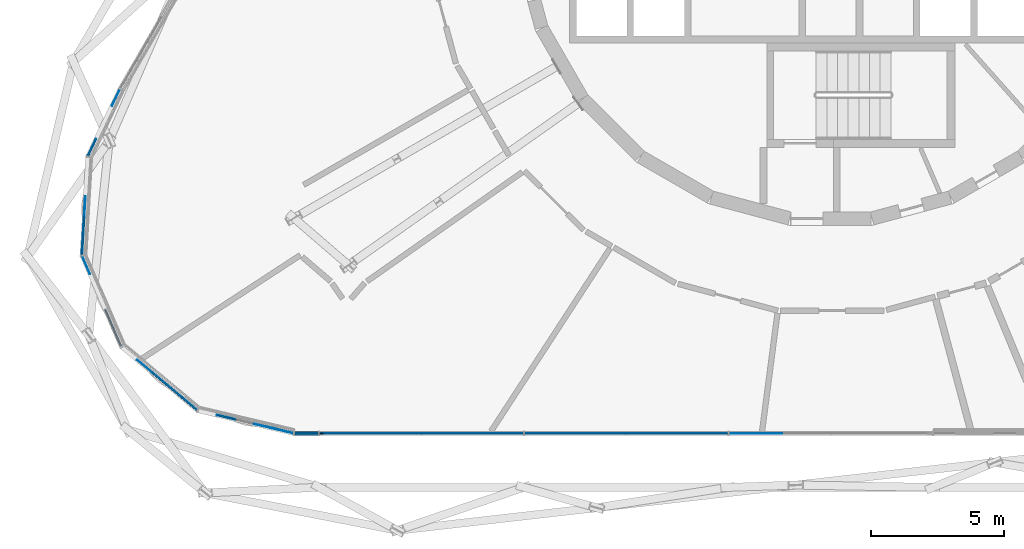
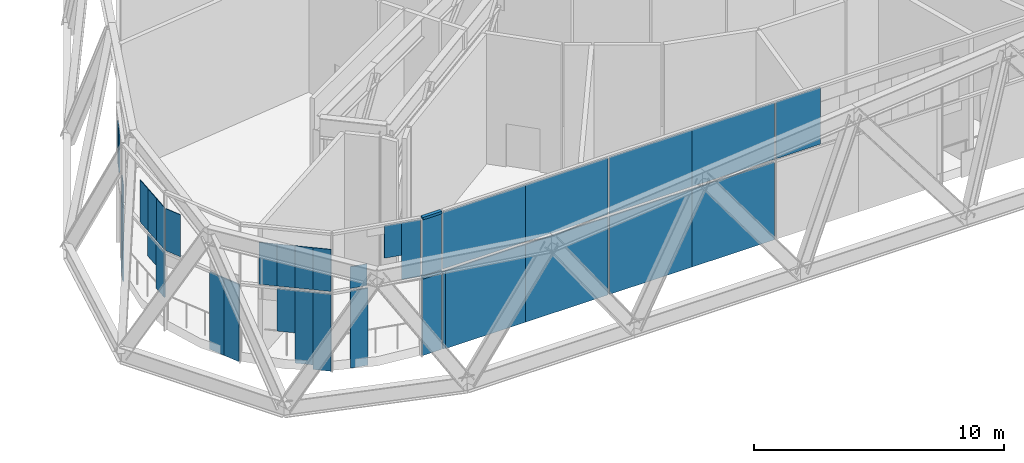
# One storey, part 11 of 29: 34 plates, 2 members, 2 elements without a shape of their own.
"""IFC4 building model written with IfcOpenShell, lengths in metres."""

from ifc_helpers import new_model, si_unit, direction, frame, origin, origin_2d, place, context, subcontext, project, spatial, rectangle, extrude, material, layer, layer_set, material_profile, profile_set, type_object, element, aggregate, save


model = new_model("IFC4")

# Units and contexts
model_context = context("Model", 3, precision=1e-05, world=origin(), true_north=direction((0.0, 1.0)))
body_context = subcontext(model_context, "Body", "Model", "MODEL_VIEW")
ifc_project = project(units=[si_unit("LENGTHUNIT", "METRE"), si_unit("AREAUNIT", "SQUARE_METRE"), si_unit("VOLUMEUNIT", "CUBIC_METRE"), si_unit("PLANEANGLEUNIT", "RADIAN"), si_unit("MASSUNIT", "GRAM", prefix="KILO")], contexts=[model_context])

# Site, building, storey
site_placement = place(None, origin())
site = spatial("IfcSite", under=ifc_project, at=site_placement, CompositionType="ELEMENT")
building_placement = place(site_placement, origin())
building = spatial("IfcBuilding", under=site, at=building_placement, Name="Spindle Arch Residences", CompositionType="ELEMENT")
storey_placement = place(building_placement, frame((0.0, 0.0, 69.89990234375)))
storey = spatial("IfcBuildingStorey", under=building, at=storey_placement, Name="L16", CompositionType="ELEMENT", Elevation=69.89990234375)

# Curtain wall, members, plates
ifc_material_1 = material(Name="Aluminium bronze unitised frame with tinted glass", Category="aluminium")
ifc_layer_1 = layer(ifc_material_1, 0.159912109375)
ifc_layer_set_1 = layer_set([ifc_layer_1], Name="CW-E double-height winter garden wall")
curtain_wall_type = type_object("IfcCurtainWallType", Name="CW-E double-height winter garden wall", PredefinedType="NOTDEFINED", material=ifc_layer_set_1)
curtain_wall_1_placement = place(storey_placement, origin())
curtain_wall_1 = element("IfcCurtainWall", 1, at=curtain_wall_1_placement, inside=storey, type_object=curtain_wall_type, Name="CW-E L16 run 5", PredefinedType="NOTDEFINED")
ifc_material_2 = material(Name="Aluminium bronze anodised transom", Category="aluminium")
ifc_material_profile = material_profile(ifc_material_2, rectangle(XDim=0.159912109375, YDim=0.1201171875, at=origin_2d()), Name="TR 120x160")
ifc_profile_set = profile_set([ifc_material_profile], Name="Aluminium bronze anodised transom")
member_type = type_object("IfcMemberType", Name="Bronze transom 120x160", PredefinedType="USERDEFINED", material=ifc_profile_set)
member_1_placement = place(storey_placement, frame((-20.113525390625, -19.7099609375, 6.2900390625), z_axis=(1.0, 0.0, 0.0), x_axis=(0.0, 1.0, 0.0)))
member_1 = element("IfcMember", 2, at=member_1_placement, type_object=member_type, Name="CW-E transom 05", ObjectType="TRANSOM", PredefinedType="USERDEFINED", context=body_context, shape_type="SweptSolid", body=[
    extrude(rectangle(XDim=0.159912109375, YDim=0.1201171875, at=origin_2d()), origin(), (0.0, 0.0, 1.0), 0.88330078125),
])
member_2_placement = place(storey_placement, frame((-20.113525390625, -19.7099609375, 3.400146484375), z_axis=(1.0, 0.0, 0.0), x_axis=(0.0, 1.0, 0.0)))
member_2 = element("IfcMember", 3, at=member_2_placement, type_object=member_type, Name="CW-E transom 05m", ObjectType="TRANSOM", PredefinedType="USERDEFINED", context=body_context, shape_type="SweptSolid", body=[
    extrude(rectangle(XDim=0.159912109375, YDim=0.1201171875, at=origin_2d()), origin(), (0.0, 0.0, 1.0), 0.88330078125),
])
ifc_material_3 = material(Name="Tinted laminated glass 28 mm", Category="glass")
ifc_layer_2 = layer(ifc_material_3, 0.028076171875)
ifc_layer_set_2 = layer_set([ifc_layer_2], Name="Tinted glass panel 28 mm")
plate_type_1 = type_object("IfcPlateType", Name="Tinted glass panel 28 mm", PredefinedType="CURTAIN_PANEL", material=ifc_layer_set_2)
plate_1_placement = place(storey_placement, frame((-26.830810546875, -7.110595703125, 3.460205078125), z_axis=(0.0, 0.0, 1.0), x_axis=(-0.431502189519, -0.902111889092, 0.0)))
plate_1 = element("IfcPlate", 4, at=plate_1_placement, type_object=plate_type_1, Name="CW-E panel 00b.1", PredefinedType="CURTAIN_PANEL", context=body_context, shape_type="SweptSolid", body=[
    extrude(rectangle(XDim=0.688720703125, YDim=0.028076171875, at=origin_2d()), origin(), (0.0, 0.0, 1.0), 2.0458984375),
])
plate_2_placement = place(storey_placement, frame((-27.72265625, -8.974853515625, 3.460205078125), z_axis=(0.0, 0.0, 1.0), x_axis=(-0.431502189519, -0.902111889092, 0.0)))
plate_2 = element("IfcPlate", 5, at=plate_2_placement, type_object=plate_type_1, Name="CW-E panel 00b.2", PredefinedType="CURTAIN_PANEL", context=body_context, shape_type="SweptSolid", body=[
    extrude(rectangle(XDim=0.688720703125, YDim=0.028076171875, at=origin_2d()), origin(), (0.0, 0.0, 1.0), 0.8251953125),
])
plate_3_placement = place(storey_placement, frame((-27.992431640625, -11.1728515625, 3.460205078125), z_axis=(0.0, 0.0, 1.0), x_axis=(-0.058144829968, -0.99830815821, 0.0)))
plate_3 = element("IfcPlate", 6, at=plate_3_placement, type_object=plate_type_1, Name="CW-E panel 01b.1", PredefinedType="CURTAIN_PANEL", context=body_context, shape_type="SweptSolid", body=[
    extrude(rectangle(XDim=0.7333984375, YDim=0.028076171875, at=origin_2d()), origin(), (0.0, 0.0, 1.0), 2.0458984375),
])
plate_4_placement = place(storey_placement, frame((-28.03515625, -11.90478515625, 3.460205078125), z_axis=(0.0, 0.0, 1.0), x_axis=(-0.058144829968, -0.99830815821, 0.0)))
plate_4 = element("IfcPlate", 7, at=plate_4_placement, type_object=plate_type_1, Name="CW-E panel 01b.2", PredefinedType="CURTAIN_PANEL", context=body_context, shape_type="SweptSolid", body=[
    extrude(rectangle(XDim=0.7333984375, YDim=0.028076171875, at=origin_2d()), origin(), (0.0, 0.0, 1.0), 2.0458984375),
])
plate_5_placement = place(storey_placement, frame((-28.077880859375, -12.636962890625, 3.460205078125), z_axis=(0.0, 0.0, 1.0), x_axis=(-0.058144829968, -0.99830815821, 0.0)))
plate_5 = element("IfcPlate", 8, at=plate_5_placement, type_object=plate_type_1, Name="CW-E panel 01b.3", PredefinedType="CURTAIN_PANEL", context=body_context, shape_type="SweptSolid", body=[
    extrude(rectangle(XDim=0.7333984375, YDim=0.028076171875, at=origin_2d()), origin(), (0.0, 0.0, 1.0), 2.0458984375),
])
plate_6_placement = place(storey_placement, frame((-27.943603515625, -13.397216796875, 3.460205078125), z_axis=(0.0, 0.0, 1.0), x_axis=(0.396079766691, -0.918216106599, 0.0)))
plate_6 = element("IfcPlate", 9, at=plate_6_placement, type_object=plate_type_1, Name="CW-E panel 02b.1", PredefinedType="CURTAIN_PANEL", context=body_context, shape_type="SweptSolid", body=[
    extrude(rectangle(XDim=0.7333984375, YDim=0.028076171875, at=origin_2d()), origin(), (0.0, 0.0, 1.0), 2.0458984375),
])
plate_7_placement = place(storey_placement, frame((-25.759033203125, -17.181396484375, 3.460205078125), z_axis=(0.0, 0.0, 1.0), x_axis=(0.766044445239, -0.64278760716, 0.0)))
plate_7 = element("IfcPlate", 10, at=plate_7_placement, type_object=plate_type_1, Name="CW-E panel 03b.1", PredefinedType="CURTAIN_PANEL", context=body_context, shape_type="SweptSolid", body=[
    extrude(rectangle(XDim=0.7333984375, YDim=0.028076171875, at=origin_2d()), origin(), (0.0, 0.0, 1.0), 2.0458984375),
])
plate_8_placement = place(storey_placement, frame((-25.197265625, -17.652587890625, 3.460205078125), z_axis=(0.0, 0.0, 1.0), x_axis=(0.766044445239, -0.64278760716, 0.0)))
plate_8 = element("IfcPlate", 11, at=plate_8_placement, type_object=plate_type_1, Name="CW-E panel 03b.2", PredefinedType="CURTAIN_PANEL", context=body_context, shape_type="SweptSolid", body=[
    extrude(rectangle(XDim=0.7333984375, YDim=0.028076171875, at=origin_2d()), origin(), (0.0, 0.0, 1.0), 2.0458984375),
])
plate_9_placement = place(storey_placement, frame((-24.635498046875, -18.1240234375, 3.460205078125), z_axis=(0.0, 0.0, 1.0), x_axis=(0.766044445239, -0.64278760716, 0.0)))
plate_9 = element("IfcPlate", 12, at=plate_9_placement, type_object=plate_type_1, Name="CW-E panel 03b.3", PredefinedType="CURTAIN_PANEL", context=body_context, shape_type="SweptSolid", body=[
    extrude(rectangle(XDim=0.7333984375, YDim=0.028076171875, at=origin_2d()), origin(), (0.0, 0.0, 1.0), 2.0458984375),
])
plate_10_placement = place(storey_placement, frame((-24.07373046875, -18.595458984375, 3.460205078125), z_axis=(0.0, 0.0, 1.0), x_axis=(0.766044445239, -0.64278760716, 0.0)))
plate_10 = element("IfcPlate", 13, at=plate_10_placement, type_object=plate_type_1, Name="CW-E panel 03b.4", PredefinedType="CURTAIN_PANEL", context=body_context, shape_type="SweptSolid", body=[
    extrude(rectangle(XDim=0.7333984375, YDim=0.028076171875, at=origin_2d()), origin(), (0.0, 0.0, 1.0), 2.0458984375),
])
plate_11_placement = place(storey_placement, frame((-22.694580078125, -19.105224609375, 3.460205078125), z_axis=(0.0, 0.0, 1.0), x_axis=(0.973044871028, -0.230615868852, 0.0)))
plate_11 = element("IfcPlate", 14, at=plate_11_placement, type_object=plate_type_1, Name="CW-E panel 04b.1", PredefinedType="CURTAIN_PANEL", context=body_context, shape_type="SweptSolid", body=[
    extrude(rectangle(XDim=0.716796875, YDim=0.028076171875, at=origin_2d()), origin(), (0.0, 0.0, 1.0), 1.05615234375),
])
plate_12_placement = place(storey_placement, frame((-21.2998046875, -19.435791015625, 4.645263671875), z_axis=(0.0, 0.0, 1.0), x_axis=(0.973044871028, -0.230615868852, 0.0)))
plate_12 = element("IfcPlate", 15, at=plate_12_placement, type_object=plate_type_1, Name="CW-E panel 04b.3", PredefinedType="CURTAIN_PANEL", context=body_context, shape_type="SweptSolid", body=[
    extrude(rectangle(XDim=0.716796875, YDim=0.028076171875, at=origin_2d()), origin(), (0.0, 0.0, 1.0), 1.5849609375),
])
plate_13_placement = place(storey_placement, frame((-20.56201171875, -19.61083984375, 3.460205078125), z_axis=(0.0, 0.0, 1.0), x_axis=(0.973044871028, -0.230615868852, 0.0)))
plate_13 = element("IfcPlate", 16, at=plate_13_placement, type_object=plate_type_1, Name="CW-E panel 04b.4", PredefinedType="CURTAIN_PANEL", context=body_context, shape_type="SweptSolid", body=[
    extrude(rectangle(XDim=0.7998046875, YDim=0.028076171875, at=origin_2d()), origin(), (0.0, 0.0, 1.0), 2.77001953125),
])
plate_14_placement = place(storey_placement, frame((-19.671875, -19.7099609375, 3.460205078125), z_axis=(0.0, 0.0, 1.0), x_axis=(1.0, 0.0, 0.0)))
plate_14 = element("IfcPlate", 17, at=plate_14_placement, type_object=plate_type_1, Name="CW-E unit 05b", PredefinedType="CURTAIN_PANEL", context=body_context, shape_type="SweptSolid", body=[
    extrude(rectangle(XDim=0.88330078125, YDim=0.028076171875, at=origin_2d()), origin(), (0.0, 0.0, 1.0), 2.77001953125),
])

# Curtain wall, plates
curtain_wall_2_placement = place(storey_placement, origin())
curtain_wall_2 = element("IfcCurtainWall", 18, at=curtain_wall_2_placement, inside=storey, type_object=curtain_wall_type, Name="CW-E L16 run 6", PredefinedType="NOTDEFINED")
plate_15_placement = place(storey_placement, frame((-17.26513671875, -19.7099609375, 3.460205078125), z_axis=(0.0, 0.0, 1.0), x_axis=(1.0, 0.0, 0.0)))
plate_15 = element("IfcPlate", 19, at=plate_15_placement, type_object=plate_type_1, Name="CW-E unit 21Ab", PredefinedType="CURTAIN_PANEL", context=body_context, shape_type="SweptSolid", body=[
    extrude(rectangle(XDim=3.81005859375, YDim=0.028076171875, at=origin_2d()), origin(), (0.0, 0.0, 1.0), 2.77001953125),
])
plate_16_placement = place(storey_placement, frame((-13.455078125, -19.7099609375, 3.460205078125), z_axis=(0.0, 0.0, 1.0), x_axis=(1.0, 0.0, 0.0)))
plate_16 = element("IfcPlate", 20, at=plate_16_placement, type_object=plate_type_1, Name="CW-E unit 21Bb", PredefinedType="CURTAIN_PANEL", context=body_context, shape_type="SweptSolid", body=[
    extrude(rectangle(XDim=3.81005859375, YDim=0.028076171875, at=origin_2d()), origin(), (0.0, 0.0, 1.0), 2.77001953125),
])
plate_17_placement = place(storey_placement, frame((-9.585205078125, -19.7099609375, 3.460205078125), z_axis=(0.0, 0.0, 1.0), x_axis=(1.0, 0.0, 0.0)))
plate_17 = element("IfcPlate", 21, at=plate_17_placement, type_object=plate_type_1, Name="CW-E unit 22Ab", PredefinedType="CURTAIN_PANEL", context=body_context, shape_type="SweptSolid", body=[
    extrude(rectangle(XDim=3.81005859375, YDim=0.028076171875, at=origin_2d()), origin(), (0.0, 0.0, 1.0), 2.77001953125),
])
plate_18_placement = place(storey_placement, frame((-5.775146484375, -19.7099609375, 3.460205078125), z_axis=(0.0, 0.0, 1.0), x_axis=(1.0, 0.0, 0.0)))
plate_18 = element("IfcPlate", 22, at=plate_18_placement, type_object=plate_type_1, Name="CW-E unit 22Bb", PredefinedType="CURTAIN_PANEL", context=body_context, shape_type="SweptSolid", body=[
    extrude(rectangle(XDim=3.81005859375, YDim=0.028076171875, at=origin_2d()), origin(), (0.0, 0.0, 1.0), 2.77001953125),
])
plate_19_placement = place(storey_placement, frame((-2.7822265625, -19.7099609375, 3.460205078125), z_axis=(0.0, 0.0, 1.0), x_axis=(1.0, 0.0, 0.0)))
plate_19 = element("IfcPlate", 23, at=plate_19_placement, type_object=plate_type_1, Name="CW-E panel 23Ab.1", PredefinedType="CURTAIN_PANEL", context=body_context, shape_type="SweptSolid", body=[
    extrude(rectangle(XDim=2.055419921875, YDim=0.028076171875, at=origin_2d()), origin(), (0.0, 0.0, 1.0), 2.77001953125),
])

# Plate
ifc_material_4 = material(Name="Tinted double glazing over aluminium faced non-combustible spandrel zone (K0)", Category="aluminium")
ifc_layer_3 = layer(ifc_material_4, 0.06005859375)
ifc_layer_set_3 = layer_set([ifc_layer_3], Name="Unitised glass panel with E 60 spandrel zone")
plate_type_2 = type_object("IfcPlateType", Name="Unitised glass panel with E 60 spandrel zone", PredefinedType="CURTAIN_PANEL", material=ifc_layer_set_3)
plate_20_placement = place(storey_placement, frame((-27.72265625, -8.974853515625, -0.419921875), z_axis=(0.0, 0.0, 1.0), x_axis=(-0.431502189519, -0.902111889092, 0.0)))
plate_20 = element("IfcPlate", 24, at=plate_20_placement, type_object=plate_type_2, Name="CW-E panel 00a.2", PredefinedType="CURTAIN_PANEL", context=body_context, shape_type="SweptSolid", body=[
    extrude(rectangle(XDim=0.688720703125, YDim=0.06005859375, at=origin_2d()), origin(), (0.0, 0.0, 1.0), 3.760009765625),
])

plate_21_placement = place(storey_placement, frame((-28.03515625, -11.90478515625, 2.24658203125), z_axis=(0.0, 0.0, 1.0), x_axis=(-0.058144829968, -0.99830815821, 0.0)))
plate_21 = element("IfcPlate", 25, at=plate_21_placement, type_object=plate_type_2, Name="CW-E panel 01a.1", PredefinedType="CURTAIN_PANEL", context=body_context, shape_type="SweptSolid", body=[
    extrude(rectangle(XDim=0.7333984375, YDim=0.06005859375, at=origin_2d()), origin(), (0.0, 0.0, 1.0), 1.093505859375),
])

plate_22_placement = place(storey_placement, frame((-28.077880859375, -12.636962890625, 1.143798828125), z_axis=(0.0, 0.0, 1.0), x_axis=(-0.058144829968, -0.99830815821, 0.0)))
plate_22 = element("IfcPlate", 26, at=plate_22_placement, type_object=plate_type_2, Name="CW-E panel 01a.2", PredefinedType="CURTAIN_PANEL", context=body_context, shape_type="SweptSolid", body=[
    extrude(rectangle(XDim=0.7333984375, YDim=0.06005859375, at=origin_2d()), origin(), (0.0, 0.0, 1.0), 2.1962890625),
])

plate_23_placement = place(storey_placement, frame((-27.072265625, -15.417236328125, -0.419921875), z_axis=(0.0, 0.0, 1.0), x_axis=(0.396079766691, -0.918216106599, 0.0)))
plate_23 = element("IfcPlate", 27, at=plate_23_placement, type_object=plate_type_2, Name="CW-E panel 02a.2", PredefinedType="CURTAIN_PANEL", context=body_context, shape_type="SweptSolid", body=[
    extrude(rectangle(XDim=0.7333984375, YDim=0.06005859375, at=origin_2d()), origin(), (0.0, 0.0, 1.0), 3.760009765625),
])

plate_24_placement = place(storey_placement, frame((-26.781982421875, -16.0908203125, -0.419921875), z_axis=(0.0, 0.0, 1.0), x_axis=(0.396079766691, -0.918216106599, 0.0)))
plate_24 = element("IfcPlate", 28, at=plate_24_placement, type_object=plate_type_2, Name="CW-E panel 02a.3", PredefinedType="CURTAIN_PANEL", context=body_context, shape_type="SweptSolid", body=[
    extrude(rectangle(XDim=0.7333984375, YDim=0.06005859375, at=origin_2d()), origin(), (0.0, 0.0, 1.0), 3.760009765625),
])

plate_25_placement = place(storey_placement, frame((-25.197265625, -17.652587890625, 1.275390625), z_axis=(0.0, 0.0, 1.0), x_axis=(0.766044445239, -0.64278760716, 0.0)))
plate_25 = element("IfcPlate", 29, at=plate_25_placement, type_object=plate_type_2, Name="CW-E panel 03a.2", PredefinedType="CURTAIN_PANEL", context=body_context, shape_type="SweptSolid", body=[
    extrude(rectangle(XDim=0.7333984375, YDim=0.06005859375, at=origin_2d()), origin(), (0.0, 0.0, 1.0), 2.064697265625),
])

plate_26_placement = place(storey_placement, frame((-24.635498046875, -18.1240234375, -0.19873046875), z_axis=(0.0, 0.0, 1.0), x_axis=(0.766044445239, -0.64278760716, 0.0)))
plate_26 = element("IfcPlate", 30, at=plate_26_placement, type_object=plate_type_2, Name="CW-E panel 03a.3", PredefinedType="CURTAIN_PANEL", context=body_context, shape_type="SweptSolid", body=[
    extrude(rectangle(XDim=0.7333984375, YDim=0.06005859375, at=origin_2d()), origin(), (0.0, 0.0, 1.0), 3.538818359375),
])

plate_27_placement = place(storey_placement, frame((-24.07373046875, -18.595458984375, -0.419921875), z_axis=(0.0, 0.0, 1.0), x_axis=(0.766044445239, -0.64278760716, 0.0)))
plate_27 = element("IfcPlate", 31, at=plate_27_placement, type_object=plate_type_2, Name="CW-E panel 03a.4", PredefinedType="CURTAIN_PANEL", context=body_context, shape_type="SweptSolid", body=[
    extrude(rectangle(XDim=0.7333984375, YDim=0.06005859375, at=origin_2d()), origin(), (0.0, 0.0, 1.0), 3.760009765625),
])

plate_28_placement = place(storey_placement, frame((-22.67041015625, -19.111083984375, -0.419921875), z_axis=(0.0, 0.0, 1.0), x_axis=(0.973044871028, -0.230615868852, 0.0)))
plate_28 = element("IfcPlate", 32, at=plate_28_placement, type_object=plate_type_2, Name="CW-E panel 04a.1", PredefinedType="CURTAIN_PANEL", context=body_context, shape_type="SweptSolid", body=[
    extrude(rectangle(XDim=0.7333984375, YDim=0.06005859375, at=origin_2d()), origin(), (0.0, 0.0, 1.0), 3.760009765625),
])

plate_29_placement = place(storey_placement, frame((-19.671875, -19.7099609375, -0.419921875), z_axis=(0.0, 0.0, 1.0), x_axis=(1.0, 0.0, 0.0)))
plate_29 = element("IfcPlate", 33, at=plate_29_placement, type_object=plate_type_2, Name="CW-E panel 05a.1", PredefinedType="CURTAIN_PANEL", context=body_context, shape_type="SweptSolid", body=[
    extrude(rectangle(XDim=0.88330078125, YDim=0.06005859375, at=origin_2d()), origin(), (0.0, 0.0, 1.0), 3.760009765625),
])

aggregate(curtain_wall_1, [plate_20, plate_1, plate_2, plate_21, plate_22, plate_3, plate_4, plate_5, plate_23, plate_24, plate_6, plate_25, plate_26, plate_27, plate_7, plate_8, plate_9, plate_10, plate_28, plate_11, plate_12, plate_13, member_1, member_2, plate_29, plate_14])

plate_30_placement = place(storey_placement, frame((-19.106201171875, -19.7099609375, -0.42138671875), z_axis=(0.0, 0.0, 1.0), x_axis=(1.0, 0.0, 0.0)))
plate_30 = element("IfcPlate", 34, at=plate_30_placement, type_object=plate_type_2, Name="CW-E panel 21Aa.1", PredefinedType="CURTAIN_PANEL", context=body_context, shape_type="SweptSolid", body=[
    extrude(rectangle(XDim=0.128173828125, YDim=0.06005859375, at=origin_2d()), origin(), (0.0, 0.0, 1.0), 3.761474609375),
])

plate_31_placement = place(storey_placement, frame((-17.201171875, -19.7099609375, -0.449951171875), z_axis=(0.0, 0.0, 1.0), x_axis=(1.0, 0.0, 0.0)))
plate_31 = element("IfcPlate", 35, at=plate_31_placement, type_object=plate_type_2, Name="CW-E panel 21Aa.2", PredefinedType="CURTAIN_PANEL", context=body_context, shape_type="SweptSolid", body=[
    extrude(rectangle(XDim=3.681884765625, YDim=0.06005859375, at=origin_2d()), origin(), (0.0, 0.0, 1.0), 3.7900390625),
])

plate_32_placement = place(storey_placement, frame((-13.455078125, -19.7099609375, -0.449951171875), z_axis=(0.0, 0.0, 1.0), x_axis=(1.0, 0.0, 0.0)))
plate_32 = element("IfcPlate", 36, at=plate_32_placement, type_object=plate_type_2, Name="CW-E unit 21Ba", PredefinedType="CURTAIN_PANEL", context=body_context, shape_type="SweptSolid", body=[
    extrude(rectangle(XDim=3.81005859375, YDim=0.06005859375, at=origin_2d()), origin(), (0.0, 0.0, 1.0), 3.7900390625),
])

plate_33_placement = place(storey_placement, frame((-9.585205078125, -19.7099609375, -0.449951171875), z_axis=(0.0, 0.0, 1.0), x_axis=(1.0, 0.0, 0.0)))
plate_33 = element("IfcPlate", 37, at=plate_33_placement, type_object=plate_type_2, Name="CW-E unit 22Aa", PredefinedType="CURTAIN_PANEL", context=body_context, shape_type="SweptSolid", body=[
    extrude(rectangle(XDim=3.81005859375, YDim=0.06005859375, at=origin_2d()), origin(), (0.0, 0.0, 1.0), 3.7900390625),
])

plate_34_placement = place(storey_placement, frame((-5.775146484375, -19.7099609375, -0.449951171875), z_axis=(0.0, 0.0, 1.0), x_axis=(1.0, 0.0, 0.0)))
plate_34 = element("IfcPlate", 38, at=plate_34_placement, type_object=plate_type_2, Name="CW-E unit 22Ba", PredefinedType="CURTAIN_PANEL", context=body_context, shape_type="SweptSolid", body=[
    extrude(rectangle(XDim=3.81005859375, YDim=0.06005859375, at=origin_2d()), origin(), (0.0, 0.0, 1.0), 3.7900390625),
])

aggregate(curtain_wall_2, [plate_30, plate_31, plate_15, plate_32, plate_16, plate_33, plate_17, plate_34, plate_18, plate_19])

save(model, "model.ifc")
